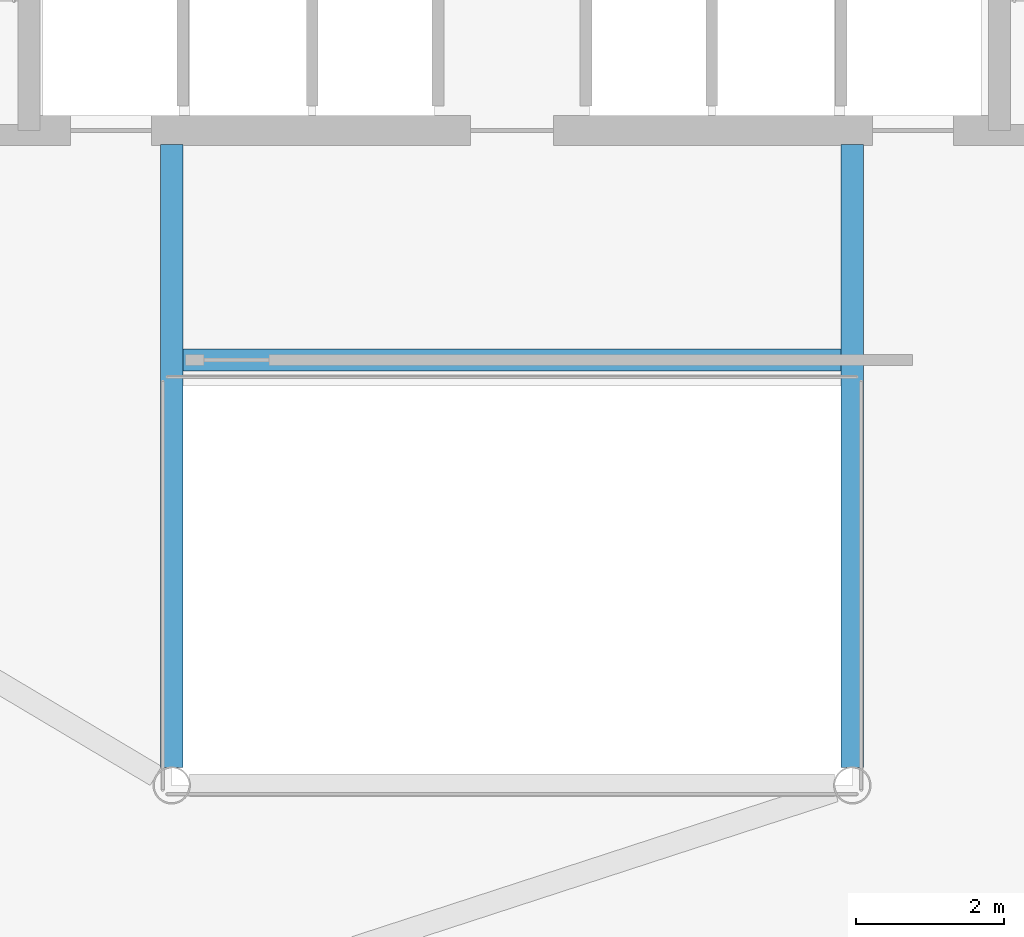
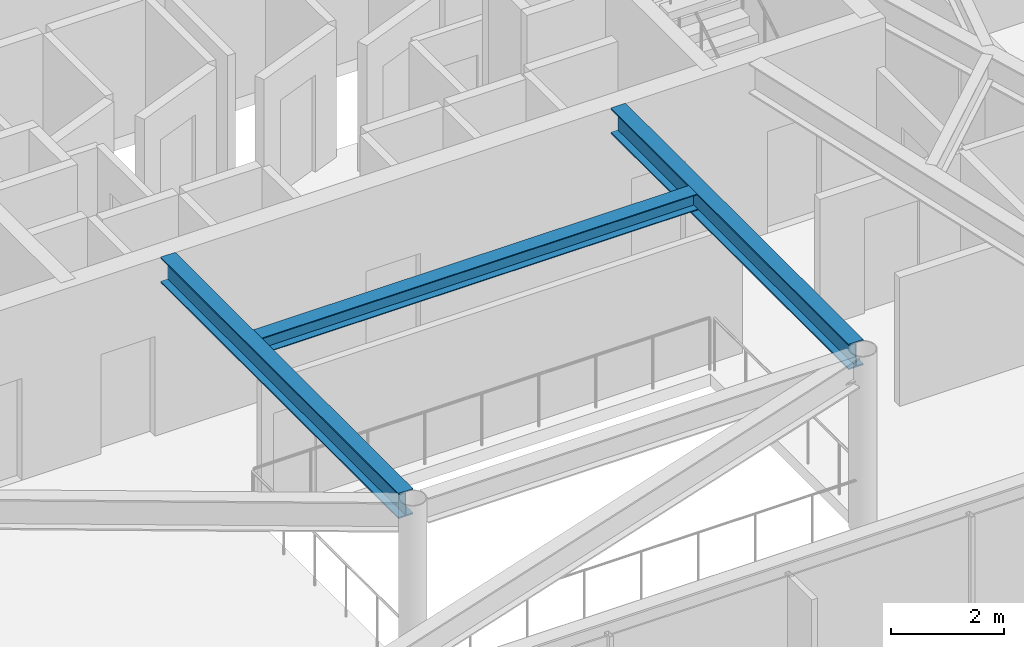
# One storey, part 11 of 27: 3 beams.
"""IFC4 building model written with IfcOpenShell, lengths in metres."""

import ifcopenshell
import ifcopenshell.guid

model = None  # the IFC model being written
_history = None  # IfcOwnerHistory: only IFC2X3 demands one
_inside = {}  # id of a spatial element -> (the spatial element, [elements in it])
_under = {}  # id of a project, library or spatial element -> (it, [spatial elements below it])
_declared = {}  # id of a project -> (the project, [libraries it declares])
_typed = {}  # id of a type object -> (the type object, [elements of that type])
_made_of = {}  # id of a material, layer set ... -> (it, [elements and type objects made of it])


def new_model(schema):
    """Start an empty IFC model of exactly this schema.

    Asked for "IFC4X3", IfcOpenShell would pick the latest addendum, in which some entities
    have other attributes; the version numbers below select the first issue.
    IFC2X3 requires an IfcOwnerHistory on every rooted entity: one is made here for all.
    """
    global model, _history
    if schema == "IFC4X3":
        model = ifcopenshell.file(schema_version=(4, 3, 0, 0))
    else:
        model = ifcopenshell.file(schema=schema)
    _inside.clear()
    _under.clear()
    _declared.clear()
    _typed.clear()
    _made_of.clear()
    _history = None
    if model.schema == "IFC2X3":
        org = make("IfcOrganization", Name="unknown")
        user = make(
            "IfcPersonAndOrganization",
            ThePerson=make("IfcPerson", FamilyName="unknown"),
            TheOrganization=org,
        )
        app = make(
            "IfcApplication",
            ApplicationDeveloper=org,
            Version="unknown",
            ApplicationFullName="unknown",
            ApplicationIdentifier="unknown",
        )
        _history = make(
            "IfcOwnerHistory",
            OwningUser=user,
            OwningApplication=app,
            ChangeAction="ADDED",
            CreationDate=0,
        )
    return model


def make(cls, **values):
    """One entity of the class cls with the attributes given. An attribute that is None is left unset."""
    return model.create_entity(
        cls, **{name: value for name, value in values.items() if value is not None}
    )


def rooted(cls, **values):
    """An entity with a GlobalId (a new one), such as an element, a storey or a relation."""
    return make(cls, GlobalId=ifcopenshell.guid.new(), OwnerHistory=_history, **values)


def si_unit(unit_type, name, prefix=None):
    """IfcSIUnit, for example si_unit("LENGTHUNIT", "METRE", prefix="MILLI")."""
    return make("IfcSIUnit", UnitType=unit_type, Prefix=prefix, Name=name)


def assignment(units):
    """IfcUnitAssignment: the units of a project."""
    return None if units is None else make("IfcUnitAssignment", Units=units)


def point(xyz):
    """IfcCartesianPoint."""
    return None if xyz is None else make("IfcCartesianPoint", Coordinates=xyz)


def direction(xyz):
    """IfcDirection."""
    return None if xyz is None else make("IfcDirection", DirectionRatios=xyz)


def frame(location, z_axis=None, x_axis=None):
    """IfcAxis2Placement3D, a coordinate frame: its origin and axes. An axis left out is left unset."""
    return make(
        "IfcAxis2Placement3D",
        Location=point(location),
        Axis=direction(z_axis),
        RefDirection=direction(x_axis),
    )


def frame_2d(location, x_axis=None):
    """IfcAxis2Placement2D, a coordinate frame in the plane: its origin and x axis."""
    return make(
        "IfcAxis2Placement2D", Location=point(location), RefDirection=direction(x_axis)
    )


def origin():
    """The frame at (0, 0, 0) with its axes left unset."""
    return frame((0.0, 0.0, 0.0))


def origin_2d():
    """The frame at (0, 0) in the plane with its x axis left unset."""
    return frame_2d((0.0, 0.0))


def place(relative_to, where):
    """IfcLocalPlacement: puts the frame where relative to a parent placement (None: the world)."""
    return make(
        "IfcLocalPlacement", PlacementRelTo=relative_to, RelativePlacement=where
    )


def context(
    kind, dimensions, precision=None, world=None, true_north=None, identifier=None
):
    """IfcGeometricRepresentationContext, for example the 3D "Model" context."""
    return make(
        "IfcGeometricRepresentationContext",
        ContextIdentifier=identifier,
        ContextType=kind,
        CoordinateSpaceDimension=dimensions,
        Precision=precision,
        WorldCoordinateSystem=world,
        TrueNorth=true_north,
    )


def subcontext(parent, identifier, kind, view, scale=None):
    """IfcGeometricRepresentationSubContext, for example "Body" below "Model"."""
    return make(
        "IfcGeometricRepresentationSubContext",
        ContextIdentifier=identifier,
        ContextType=kind,
        ParentContext=parent,
        TargetScale=scale,
        TargetView=view,
    )


def project(units=None, contexts=None):
    """IfcProject with its units and contexts."""
    return rooted(
        "IfcProject",
        Name="project",
        RepresentationContexts=contexts,
        UnitsInContext=assignment(units),
    )


def spatial(cls, under=None, at=None, **own):
    """A site, building, storey or space (cls), placed at a placement, below another one or the project."""
    s = rooted(cls, ObjectPlacement=at, **own)
    if under is not None:
        _under.setdefault(under.id(), (under, []))[1].append(s)
    return s


def profile(cls, at=None, kind="AREA", **sizes):
    """A parametric profile (cls). Its sizes go by their IFC names, for example OverallWidth=200.0."""
    return make(cls, ProfileType=kind, Position=at, **sizes)


def i_section(**sizes):
    """IfcIShapeProfileDef."""
    return profile("IfcIShapeProfileDef", **sizes)


def extrude(swept, where, along, depth):
    """IfcExtrudedAreaSolid: the profile swept, set in the frame where, extruded along a direction by depth."""
    return make(
        "IfcExtrudedAreaSolid",
        SweptArea=swept,
        Position=where,
        ExtrudedDirection=direction(along),
        Depth=depth,
    )


def shape(context_of_items, identifier, shape_type, items):
    """IfcShapeRepresentation: the items that make up one representation, for example the "Body"."""
    return make(
        "IfcShapeRepresentation",
        ContextOfItems=context_of_items,
        RepresentationIdentifier=identifier,
        RepresentationType=shape_type,
        Items=items,
    )


def material(Name=None, Category=None):
    """IfcMaterial."""
    return make("IfcMaterial", Name=Name, Category=Category)


def material_profile(
    of_material, cross_section, Name=None, Category=None, Priority=None
):
    """IfcMaterialProfile: a cross section and its material."""
    return make(
        "IfcMaterialProfile",
        Name=Name,
        Material=of_material,
        Profile=cross_section,
        Priority=Priority,
        Category=Category,
    )


def profile_set(profiles, Name=None, composite=None):
    """IfcMaterialProfileSet."""
    return make(
        "IfcMaterialProfileSet",
        Name=Name,
        MaterialProfiles=profiles,
        CompositeProfile=composite,
    )


def made_of(thing, what):
    """Note that an element or type object is made of a material, layer set ...; save() writes the relation."""
    if what is not None:
        _made_of.setdefault(what.id(), (what, []))[1].append(thing)
    return thing


def type_object(cls, material=None, **own):
    """A type object (cls), such as IfcWallType, which elements share."""
    return made_of(rooted(cls, **own), material)


def element(
    cls,
    number,
    at=None,
    inside=None,
    cuts=None,
    type_object=None,
    material=None,
    context=None,
    identifier="Body",
    shape_type=None,
    held_by="IfcProductDefinitionShape",
    body=None,
    shapes=None,
    **own,
):
    """One element of the class cls, such as IfcWall. Its Tag is "e" and its number.

    at: its placement. inside: the storey or other place that contains it. cuts: it is an
    opening in that element (IfcRelVoidsElement). A single representation is given by context,
    identifier, shape_type and body (its items); several are given by shapes. held_by: the class
    of the entity that holds the representations. save() writes the other relations.
    """
    e = rooted(cls, Tag="e%d" % number, ObjectPlacement=at, **own)
    if body is not None:
        shapes = [shape(context, identifier, shape_type, body)]
    if shapes is not None:
        e.Representation = make(held_by, Representations=shapes)
    if inside is not None:
        _inside.setdefault(inside.id(), (inside, []))[1].append(e)
    if cuts is not None:
        rooted(
            "IfcRelVoidsElement", RelatingBuildingElement=cuts, RelatedOpeningElement=e
        )
    if type_object is not None:
        _typed.setdefault(type_object.id(), (type_object, []))[1].append(e)
    return made_of(e, material)


def aggregate(whole, parts):
    """IfcRelAggregates: a whole, such as a stair, and the parts it consists of."""
    return rooted("IfcRelAggregates", RelatingObject=whole, RelatedObjects=parts)


def save(model, path):
    """Write the relations noted so far, then the file.

    IfcRelAggregates (storeys below a building ...), IfcRelContainedInSpatialStructure (elements
    in a storey), IfcRelDefinesByType, IfcRelAssociatesMaterial and IfcRelDeclares: one each for
    every whole, place, type object, material and project.
    """
    for whole, parts in _under.values():
        aggregate(whole, parts)
    for where, things in _inside.values():
        rooted(
            "IfcRelContainedInSpatialStructure",
            RelatedElements=things,
            RelatingStructure=where,
        )
    for kind, things in _typed.values():
        rooted("IfcRelDefinesByType", RelatedObjects=things, RelatingType=kind)
    for what, things in _made_of.values():
        rooted("IfcRelAssociatesMaterial", RelatedObjects=things, RelatingMaterial=what)
    for by, libraries in _declared.values():
        rooted("IfcRelDeclares", RelatingContext=by, RelatedDefinitions=libraries)
    model.write(path)


model = new_model("IFC4")

# Units and contexts
model_context = context("Model", 3, precision=1e-05, world=origin(), true_north=direction((0.0, 1.0)))
body_context = subcontext(model_context, "Body", "Model", "MODEL_VIEW")
ifc_project = project(units=[si_unit("LENGTHUNIT", "METRE"), si_unit("AREAUNIT", "SQUARE_METRE"), si_unit("VOLUMEUNIT", "CUBIC_METRE"), si_unit("PLANEANGLEUNIT", "RADIAN"), si_unit("MASSUNIT", "GRAM", prefix="KILO")], contexts=[model_context])

# Site, building, storey
site_placement = place(None, origin())
site = spatial("IfcSite", under=ifc_project, at=site_placement, CompositionType="ELEMENT")
building_placement = place(site_placement, origin())
building = spatial("IfcBuilding", under=site, at=building_placement, Name="Zarrinselat Tower", CompositionType="ELEMENT")
storey_placement = place(building_placement, frame((0.0, 0.0, 47.93994140625)))
storey = spatial("IfcBuildingStorey", under=building, at=storey_placement, Name="L11", CompositionType="ELEMENT", Elevation=47.93994140625)

# Beams
ifc_material_1 = material(Name="Steel S355J2", Category="steel")
ifc_material_profile_1 = material_profile(ifc_material_1, i_section(OverallWidth=0.300048828125, OverallDepth=0.35009765625, WebThickness=0.010009765625, FlangeThickness=0.017578125, at=origin_2d()), Name="HEA 360")
ifc_profile_set_1 = profile_set([ifc_material_profile_1], Name="Steel S355J2")
beam_type_1 = type_object("IfcBeamType", Name="BM-HEA360", PredefinedType="LINTEL", material=ifc_profile_set_1)
beam_placement = place(storey_placement, frame((33.93994140625, 30.14990234375, 3.64501953125), z_axis=(1.0, 0.0, 0.0), x_axis=(0.0, 1.0, 0.0)))
element("IfcBeam", 1, at=beam_placement, inside=storey, type_object=beam_type_1, Name="L11 Lift Lobby Ceiling Beam", PredefinedType="LINTEL", context=body_context, shape_type="SweptSolid", body=[
    extrude(i_section(OverallWidth=0.300048828125, OverallDepth=0.35009765625, WebThickness=0.010009765625, FlangeThickness=0.017578125, at=origin_2d()), origin(), (0.0, 0.0, 1.0), 8.920166015625),
])
ifc_material_2 = material(Name="Steel S355J2", Category="steel")
ifc_material_profile_2 = material_profile(ifc_material_2, i_section(OverallWidth=0.300048828125, OverallDepth=0.550048828125, WebThickness=0.014892578125, FlangeThickness=0.029052734375, at=origin_2d()), Name="HEB 550")
ifc_profile_set_2 = profile_set([ifc_material_profile_2], Name="Steel S355J2")
beam_type_2 = type_object("IfcBeamType", Name="BM-HEB550", PredefinedType="BEAM", material=ifc_profile_set_2)
for number, where, z_axis, x_axis, name in (
    (2, (33.800048828125, 24.639892578125, 3.545166015625), (0.0, 1.0, 0.0), (-1.0, 0.0, 0.0), "L11 Atrium Edge Beam W"),
    (3, (43.0, 24.639892578125, 3.545166015625), (0.0, 1.0, 0.0), (-1.0, 0.0, 0.0), "L11 Atrium Edge Beam E"),
):
    element("IfcBeam", number, at=place(storey_placement, frame(where, z_axis=z_axis, x_axis=x_axis)), inside=storey, type_object=beam_type_2, Name=name, PredefinedType="BEAM", context=body_context, shape_type="SweptSolid", body=[
        extrude(i_section(OverallWidth=0.300048828125, OverallDepth=0.550048828125, WebThickness=0.014892578125, FlangeThickness=0.029052734375, at=origin_2d()), origin(), (0.0, 0.0, 1.0), 8.420166015625),
    ])

save(model, "model.ifc")
